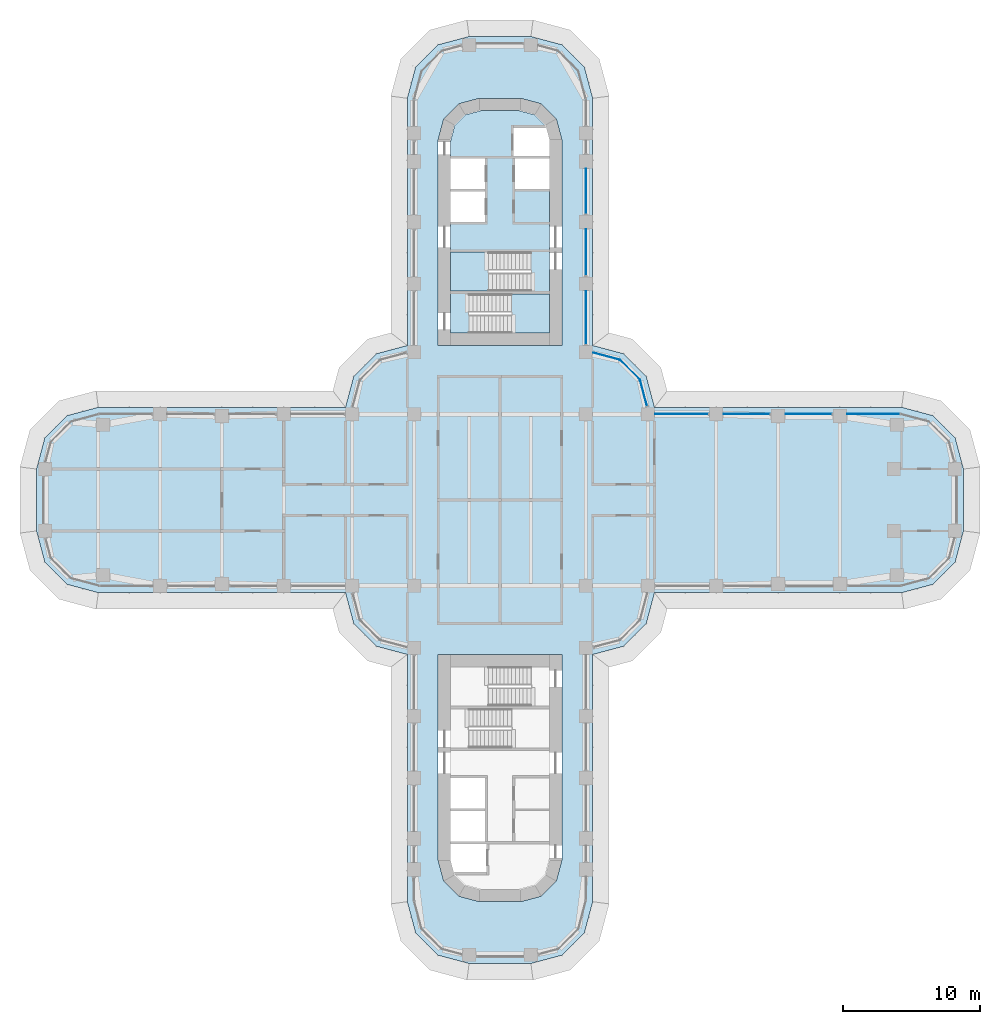
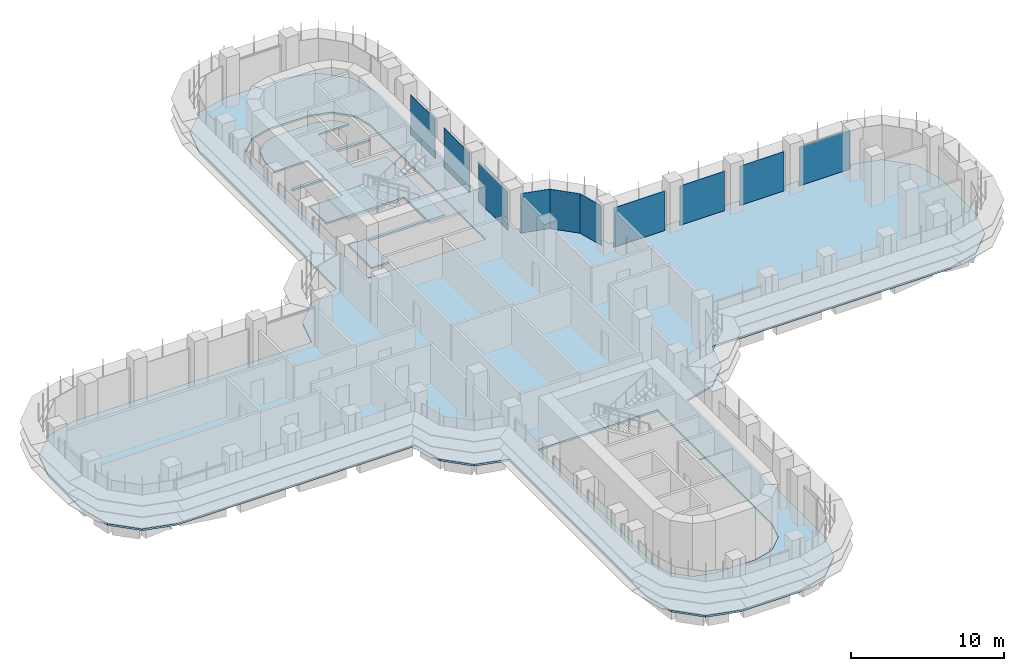
# One storey, part 15 of 23: 10 plates, 4 slabs, 7 elements without a shape of their own.
"""IFC4 building model written with IfcOpenShell, lengths in metres."""

from ifc_helpers import new_model, si_unit, direction, frame, origin, place, context, subcontext, project, spatial, polyline, outline, extrude, source, transform, mapped, material, layer, layer_set, type_object, element, aggregate, save


model = new_model("IFC4")

# Units and contexts
model_context = context("Model", 3, precision=1e-05, world=origin(), true_north=direction((0.0, 1.0)))
body_context = subcontext(model_context, "Body", "Model", "MODEL_VIEW")
ifc_project = project(units=[si_unit("LENGTHUNIT", "METRE"), si_unit("AREAUNIT", "SQUARE_METRE"), si_unit("VOLUMEUNIT", "CUBIC_METRE"), si_unit("PLANEANGLEUNIT", "RADIAN"), si_unit("MASSUNIT", "GRAM", prefix="KILO")], contexts=[model_context])

# Site, building, storey
site_placement = place(None, origin())
site = spatial("IfcSite", under=ifc_project, at=site_placement, CompositionType="ELEMENT")
building_placement = place(site_placement, origin())
building = spatial("IfcBuilding", under=site, at=building_placement, Name="Zarbagh Exchange Tower", CompositionType="ELEMENT")
storey_placement = place(building_placement, frame((0.0, 0.0, 56.39990234375)))
storey = spatial("IfcBuildingStorey", under=building, at=storey_placement, Name="L12", CompositionType="ELEMENT", Elevation=56.39990234375)

# Slabs
ifc_material_1 = material(Name="Concrete C40/50", Category="concrete")
ifc_layer_1 = layer(ifc_material_1, 0.14990234375)
ifc_layer_set_1 = layer_set([ifc_layer_1], Name="Composite floor slab 150 C40/50")
slab_type_1 = type_object("IfcSlabType", Name="Composite floor slab 150 C40/50", PredefinedType="FLOOR", material=ifc_layer_set_1)
slab_1_placement = place(storey_placement, frame((0.0, 0.0, -0.14990234375)))
element("IfcSlab", 1, at=slab_1_placement, inside=storey, type_object=slab_type_1, Name="S5 composite floor slab", PredefinedType="FLOOR", context=body_context, shape_type="SweptSolid", body=[
    extrude(outline(polyline([(-2.25, -33.75), (-4.5, -33.147216796875), (-6.147216796875, -31.5), (-6.75, -29.25), (-6.75, -11.25), (-9.0, -10.647216796875), (-10.647216796875, -9.0), (-11.25, -6.75), (-29.25, -6.75), (-31.5, -6.147216796875), (-33.147216796875, -4.5), (-33.75, -2.25), (-33.75, 2.25), (-33.147216796875, 4.5), (-31.5, 6.147216796875), (-29.25, 6.75), (-11.25, 6.75), (-10.647216796875, 9.0), (-9.0, 10.647216796875), (-6.75, 11.25), (-6.75, 29.25), (-6.147216796875, 31.5), (-4.5, 33.147216796875), (-2.25, 33.75), (2.25, 33.75), (4.5, 33.147216796875), (6.147216796875, 31.5), (6.75, 29.25), (6.75, 11.25), (9.0, 10.647216796875), (10.647216796875, 9.0), (11.25, 6.75), (29.25, 6.75), (31.5, 6.147216796875), (33.147216796875, 4.5), (33.75, 2.25), (33.75, -2.25), (33.147216796875, -4.5), (31.5, -6.147216796875), (29.25, -6.75), (11.25, -6.75), (10.647216796875, -9.0), (9.0, -10.647216796875), (6.75, -11.25), (6.75, -29.25), (6.147216796875, -31.5), (4.5, -33.147216796875), (2.25, -33.75), (-2.25, -33.75)]), holes=[polyline([(4.5, 11.25), (4.5, 26.25), (4.09814453125, 27.75), (3.0, 28.84814453125), (1.5, 29.25), (-1.5, 29.25), (-3.0, 28.84814453125), (-4.09814453125, 27.75), (-4.5, 26.25), (-4.5, 11.25), (4.5, 11.25)]), polyline([(-1.5, -29.25), (1.5, -29.25), (3.0, -28.84814453125), (4.09814453125, -27.75), (4.5, -26.25), (4.5, -11.25), (-4.5, -11.25), (-4.5, -26.25), (-4.09814453125, -27.75), (-3.0, -28.84814453125), (-1.5, -29.25)])]), origin(), (0.0, 0.0, 1.0), 0.14990234375),
])
ifc_layer_2 = layer(ifc_material_1, 0.14990234375)
ifc_layer_set_2 = layer_set([ifc_layer_2], Name="Core floor slab 150 C40/50")
slab_type_2 = type_object("IfcSlabType", Name="Core floor slab 150 C40/50", PredefinedType="FLOOR", material=ifc_layer_set_2)
slab_2_placement = place(storey_placement, frame((0.0, 0.0, -0.14990234375)))
element("IfcSlab", 2, at=slab_2_placement, inside=storey, type_object=slab_type_2, Name="S17 core N", PredefinedType="FLOOR", context=body_context, shape_type="SweptSolid", body=[
    extrude(outline(polyline([(-3.60009765625, 12.14990234375), (-3.60009765625, 15.199951171875), (2.25, 15.199951171875), (2.25, 18.050048828125), (-3.60009765625, 18.050048828125), (-3.60009765625, 20.25), (-1.10009765625, 20.25), (-1.10009765625, 22.449951171875), (-3.60009765625, 22.449951171875), (-3.60009765625, 22.64990234375), (-1.10009765625, 22.64990234375), (-1.10009765625, 24.85009765625), (-3.60009765625, 24.85009765625), (-3.60009765625, 26.131591796875), (-3.291259765625, 27.2841796875), (-2.5341796875, 28.041259765625), (-1.381591796875, 28.35009765625), (1.381591796875, 28.35009765625), (2.5341796875, 28.041259765625), (3.291259765625, 27.2841796875), (3.340576171875, 27.10009765625), (1.0, 27.10009765625), (1.0, 25.050048828125), (3.60009765625, 25.050048828125), (3.60009765625, 24.85009765625), (1.10009765625, 24.85009765625), (1.10009765625, 22.64990234375), (3.60009765625, 22.64990234375), (3.60009765625, 15.0), (-2.25, 15.0), (-2.25, 12.14990234375), (-3.60009765625, 12.14990234375)])), origin(), (0.0, 0.0, 1.0), 0.14990234375),
])

# Stair, slab
stair_type = type_object("IfcStairType", Name="Exit stair two-flight half-turn", PredefinedType="HALF_TURN_STAIR", material=ifc_material_1)
stair_1_placement = place(storey_placement, origin())
stair_1 = element("IfcStair", 3, at=stair_1_placement, inside=storey, type_object=stair_type, Name="exit stair ST1", PredefinedType="HALF_TURN_STAIR")
ifc_layer_3 = layer(ifc_material_1, 0.199951171875)
ifc_layer_set_3 = layer_set([ifc_layer_3], Name="Stair landing 200 mm")
slab_type_3 = type_object("IfcSlabType", Name="Stair landing 200 mm", PredefinedType="LANDING", material=ifc_layer_set_3)
slab_3_placement = place(storey_placement, frame((0.0, 0.0, 1.900146484375)))
slab_3 = element("IfcSlab", 4, at=slab_3_placement, type_object=slab_type_3, Name="ST1 landing 1", PredefinedType="LANDING", context=body_context, shape_type="SweptSolid", body=[
    extrude(outline(polyline([(-0.830078125, 18.050048828125), (-3.60009765625, 18.050048828125), (-3.60009765625, 15.199951171875), (-0.830078125, 15.199951171875), (-0.830078125, 18.050048828125)])), origin(), (0.0, 0.0, 1.0), 0.199951171875),
])
aggregate(stair_1, [slab_3])

stair_2_placement = place(storey_placement, origin())
stair_2 = element("IfcStair", 5, at=stair_2_placement, inside=storey, type_object=stair_type, Name="exit stair ST2", PredefinedType="HALF_TURN_STAIR")
slab_4_placement = place(storey_placement, frame((0.0, 0.0, 1.900146484375)))
slab_4 = element("IfcSlab", 6, at=slab_4_placement, type_object=slab_type_3, Name="ST2 landing 1", PredefinedType="LANDING", context=body_context, shape_type="SweptSolid", body=[
    extrude(outline(polyline([(0.830078125, 12.14990234375), (3.60009765625, 12.14990234375), (3.60009765625, 15.0), (0.830078125, 15.0), (0.830078125, 12.14990234375)])), origin(), (0.0, 0.0, 1.0), 0.199951171875),
])
aggregate(stair_2, [slab_4])

# Curtain wall, plate
ifc_material_2 = material(Name="Anodised aluminium frame and glazing", Category="aluminium")
curtain_wall_type = type_object("IfcCurtainWallType", Name="CWA Ribbon glazing, lower zones", PredefinedType="NOTDEFINED", material=ifc_material_2)
curtain_wall_1_placement = place(storey_placement, origin())
curtain_wall_1 = element("IfcCurtainWall", 7, at=curtain_wall_1_placement, inside=storey, type_object=curtain_wall_type, Name="CWA18 curtain wall", PredefinedType="NOTDEFINED")
ifc_material_3 = material(Name="Low-e double glazed unit, 6+12+6 mm")
ifc_layer_4 = layer(ifc_material_3, 0.028076171875)
ifc_layer_set_4 = layer_set([ifc_layer_4], Name="PAA Glazing panel, Low-e double glazed unit, 6+12+6 mm")
plate_type = type_object("IfcPlateType", Name="PAA Glazing panel, Low-e double glazed unit, 6+12+6 mm", PredefinedType="CURTAIN_PANEL", material=ifc_layer_set_4)
shared_shape_1 = source(origin(), body_context, "Body", "SweptSolid", [
    extrude(outline(polyline([(0.0, -0.013916015625), (2.061279296875, -0.013916015625), (2.061279296875, 0.013916015625), (0.0, 0.013916015625), (0.0, -0.013916015625)])), origin(), (0.0, 0.0, 1.0), 3.14990234375),
])
placement = place(storey_placement, origin())
plate_1 = element("IfcPlate", 8, at=placement, type_object=plate_type, Name="CWA18 glazing panel 1.1", PredefinedType="CURTAIN_PANEL", context=body_context, shape_type="MappedRepresentation", body=[
    mapped(shared_shape_1, transform((10.19873046875, 8.7412109375, 0.0), x_axis=(-0.707106781187, 0.707106781187, 0.0), y_axis=(-0.707106781187, -0.707106781187, 0.0), z_axis=(0.0, 0.0, 1.0))),
])
aggregate(curtain_wall_1, [plate_1])

curtain_wall_2_placement = place(storey_placement, origin())
curtain_wall_2 = element("IfcCurtainWall", 9, at=curtain_wall_2_placement, inside=storey, type_object=curtain_wall_type, Name="CWA20 curtain wall", PredefinedType="NOTDEFINED")
shared_shape_2 = source(origin(), body_context, "Body", "SweptSolid", [
    extrude(outline(polyline([(0.0, -0.013916015625), (3.260009765625, -0.013916015625), (3.260009765625, 0.013916015625), (0.0, 0.013916015625), (0.0, -0.013916015625)])), origin(), (0.0, 0.0, 1.0), 3.14990234375),
])
plate_2 = element("IfcPlate", 10, at=placement, type_object=plate_type, Name="CWA20 glazing panel 3.1", PredefinedType="CURTAIN_PANEL", context=body_context, shape_type="MappedRepresentation", body=[
    mapped(shared_shape_2, transform((6.25, 20.85009765625, 0.0), x_axis=(0.0, 1.0, 0.0), y_axis=(-1.0, 0.0, 0.0), z_axis=(0.0, 0.0, 1.0))),
])

# Curtain wall, plates
curtain_wall_3_placement = place(storey_placement, origin())
curtain_wall_3 = element("IfcCurtainWall", 11, at=curtain_wall_3_placement, inside=storey, type_object=curtain_wall_type, Name="CWA16 curtain wall", PredefinedType="NOTDEFINED")
shared_shape_3 = source(origin(), body_context, "Body", "SweptSolid", [
    extrude(outline(polyline([(0.0, -0.013916015625), (3.360107421875, -0.013916015625), (3.360107421875, 0.013916015625), (0.0, 0.013916015625), (0.0, -0.013916015625)])), origin(), (0.0, 0.0, 1.0), 3.14990234375),
])
plate_3 = element("IfcPlate", 12, at=placement, type_object=plate_type, Name="CWA16 glazing panel 2.1", PredefinedType="CURTAIN_PANEL", context=body_context, shape_type="MappedRepresentation", body=[
    mapped(shared_shape_3, transform((24.14990234375, 6.25, 0.0), x_axis=(-1.0, 0.0, 0.0), y_axis=(0.0, -1.0, 0.0), z_axis=(0.0, 0.0, 1.0))),
])
plate_4 = element("IfcPlate", 13, at=placement, type_object=plate_type, Name="CWA16 glazing panel 3.1", PredefinedType="CURTAIN_PANEL", context=body_context, shape_type="MappedRepresentation", body=[
    mapped(shared_shape_3, transform((19.64990234375, 6.25, 0.0), x_axis=(-1.0, 0.0, 0.0), y_axis=(0.0, -1.0, 0.0), z_axis=(0.0, 0.0, 1.0))),
])

# Plate
plate_5 = element("IfcPlate", 14, at=placement, type_object=plate_type, Name="CWA20 glazing panel 2.1", PredefinedType="CURTAIN_PANEL", context=body_context, shape_type="MappedRepresentation", body=[
    mapped(shared_shape_3, transform((6.25, 16.35009765625, 0.0), x_axis=(0.0, 1.0, 0.0), y_axis=(-1.0, 0.0, 0.0), z_axis=(0.0, 0.0, 1.0))),
])

# Curtain wall, plate
curtain_wall_4_placement = place(storey_placement, origin())
curtain_wall_4 = element("IfcCurtainWall", 15, at=curtain_wall_4_placement, inside=storey, type_object=curtain_wall_type, Name="CWA17 curtain wall", PredefinedType="NOTDEFINED")
shared_shape_4 = source(origin(), body_context, "Body", "SweptSolid", [
    extrude(outline(polyline([(0.0, -0.013916015625), (1.9599609375, -0.013916015625), (1.9599609375, 0.013916015625), (0.0, 0.013916015625), (0.0, -0.013916015625)])), origin(), (0.0, 0.0, 1.0), 3.14990234375),
])
plate_6 = element("IfcPlate", 16, at=placement, type_object=plate_type, Name="CWA17 glazing panel 1.1", PredefinedType="CURTAIN_PANEL", context=body_context, shape_type="MappedRepresentation", body=[
    mapped(shared_shape_4, transform((10.7060546875, 6.847900390625, 0.0), x_axis=(-0.258824779902, 0.965924289636, 0.0), y_axis=(-0.965924289636, -0.258824779902, 0.0), z_axis=(0.0, 0.0, 1.0))),
])
aggregate(curtain_wall_4, [plate_6])

curtain_wall_5_placement = place(storey_placement, origin())
curtain_wall_5 = element("IfcCurtainWall", 17, at=curtain_wall_5_placement, inside=storey, type_object=curtain_wall_type, Name="CWA19 curtain wall", PredefinedType="NOTDEFINED")
shared_shape_5 = source(origin(), body_context, "Body", "SweptSolid", [
    extrude(outline(polyline([(0.0, -0.013916015625), (2.02001953125, -0.013916015625), (2.02001953125, 0.013916015625), (0.0, 0.013916015625), (0.0, -0.013916015625)])), origin(), (0.0, 0.0, 1.0), 3.14990234375),
])
plate_7 = element("IfcPlate", 18, at=placement, type_object=plate_type, Name="CWA19 glazing panel 1.1", PredefinedType="CURTAIN_PANEL", context=body_context, shape_type="MappedRepresentation", body=[
    mapped(shared_shape_5, transform((8.7412109375, 10.19873046875, 0.0), x_axis=(-0.965924289636, 0.258824779902, 0.0), y_axis=(-0.258824779902, -0.965924289636, 0.0), z_axis=(0.0, 0.0, 1.0))),
])
aggregate(curtain_wall_5, [plate_7])

# Plate
shared_shape_6 = source(origin(), body_context, "Body", "SweptSolid", [
    extrude(outline(polyline([(0.0, -0.013916015625), (3.860107421875, -0.013916015625), (3.860107421875, 0.013916015625), (0.0, 0.013916015625), (0.0, -0.013916015625)])), origin(), (0.0, 0.0, 1.0), 3.090087890625),
])
plate_8 = element("IfcPlate", 19, at=placement, type_object=plate_type, Name="CWA20 glazing panel 1.1", PredefinedType="CURTAIN_PANEL", context=body_context, shape_type="MappedRepresentation", body=[
    mapped(shared_shape_6, transform((6.25, 11.35009765625, 0.0), x_axis=(0.0, 1.0, 0.0), y_axis=(-1.0, 0.0, 0.0), z_axis=(0.0, 0.0, 1.0))),
])

aggregate(curtain_wall_2, [plate_8, plate_5, plate_2])

shared_shape_7 = source(origin(), body_context, "Body", "SweptSolid", [
    extrude(outline(polyline([(0.0, -0.013916015625), (3.834228515625, -0.013916015625), (3.834228515625, 0.013916015625), (0.0, 0.013916015625), (0.0, -0.013916015625)])), origin(), (0.0, 0.0, 1.0), 3.090087890625),
])
plate_9 = element("IfcPlate", 20, at=placement, type_object=plate_type, Name="CWA16 glazing panel 1.1", PredefinedType="CURTAIN_PANEL", context=body_context, shape_type="MappedRepresentation", body=[
    mapped(shared_shape_7, transform((29.124267578125, 6.25, 0.0), x_axis=(-1.0, 0.0, 0.0), y_axis=(0.0, -1.0, 0.0), z_axis=(0.0, 0.0, 1.0))),
])

shared_shape_8 = source(origin(), body_context, "Body", "SweptSolid", [
    extrude(outline(polyline([(0.0, -0.013916015625), (3.860107421875, -0.013916015625), (3.860107421875, 0.013916015625), (0.0, 0.013916015625), (0.0, -0.013916015625)])), origin(), (0.0, 0.0, 1.0), 3.14990234375),
])
plate_10 = element("IfcPlate", 21, at=placement, type_object=plate_type, Name="CWA16 glazing panel 4.1", PredefinedType="CURTAIN_PANEL", context=body_context, shape_type="MappedRepresentation", body=[
    mapped(shared_shape_8, transform((15.14990234375, 6.25, 0.0), x_axis=(-1.0, 0.0, 0.0), y_axis=(0.0, -1.0, 0.0), z_axis=(0.0, 0.0, 1.0))),
])

aggregate(curtain_wall_3, [plate_9, plate_3, plate_4, plate_10])

save(model, "model.ifc")
